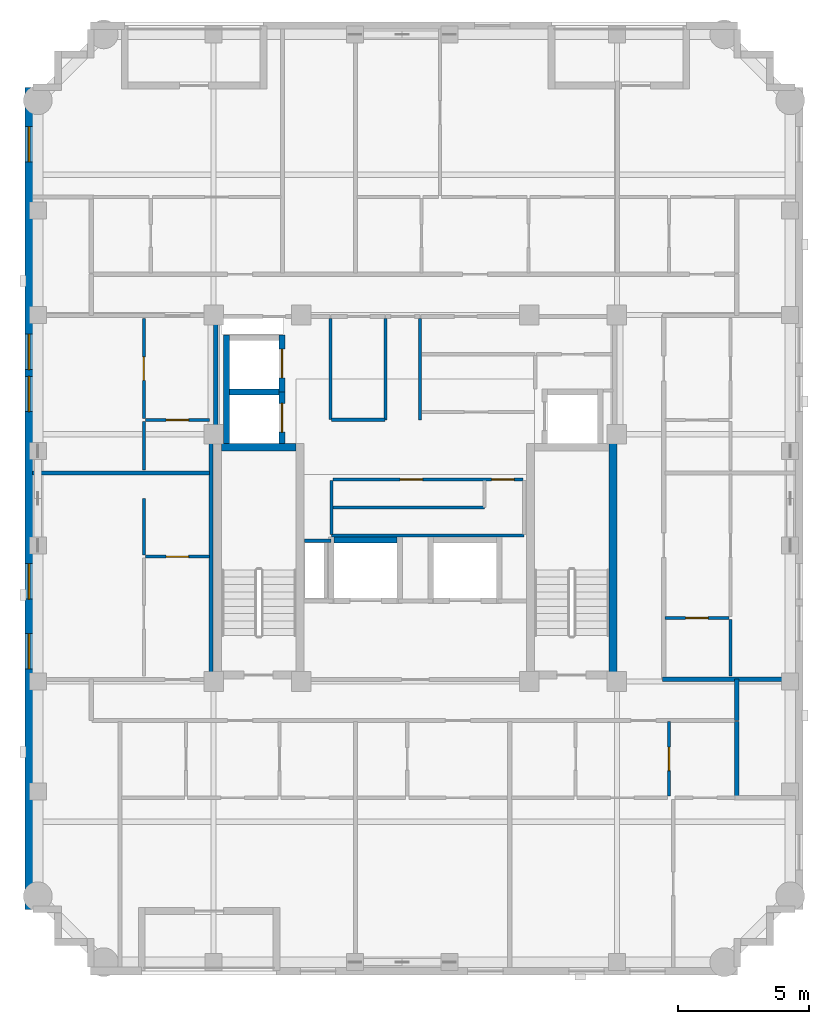
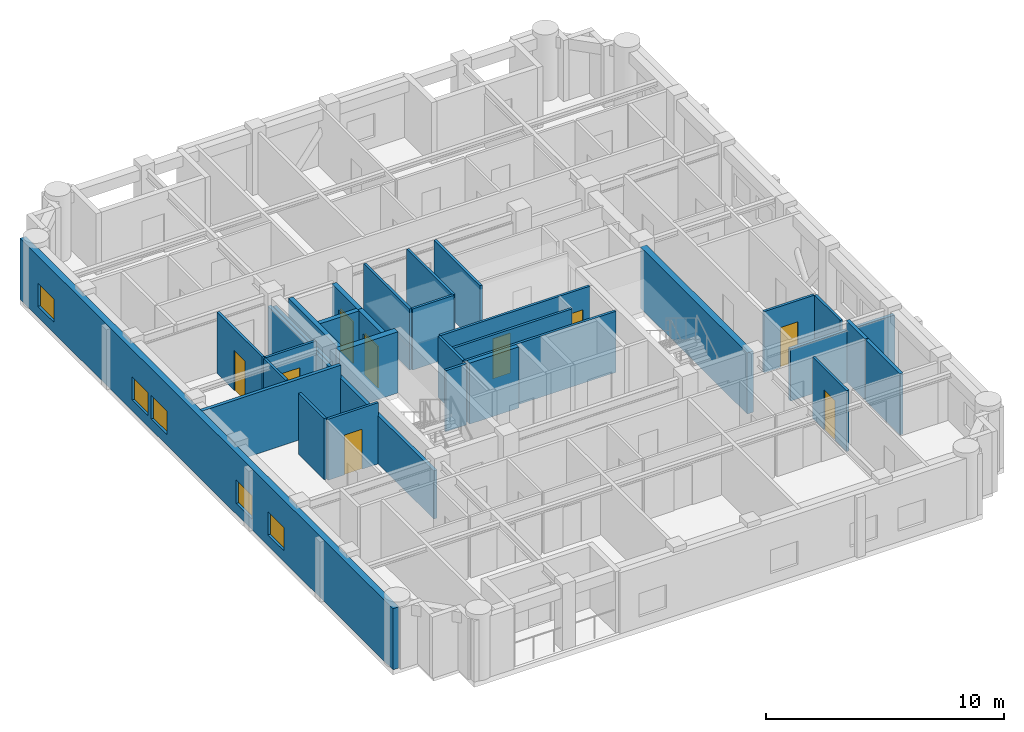
# One storey, part 4 of 10: 31 walls, 9 doors, 5 windows, 14 openings.
"""IFC4 building model written with IfcOpenShell, lengths in metres."""

from ifc_helpers import new_model, si_unit, derived_unit, direction, frame, frame_2d, origin, place, context, subcontext, project, spatial, rectangle, extrude, material, layer, layer_set, type_object, element, fill, save


model = new_model("IFC4")

# Units and contexts
model_context = context("Model", 3, precision=1e-05, world=origin(), true_north=direction((0.0, 1.0)))
body_context = subcontext(model_context, "Body", "Model", "MODEL_VIEW")
ifc_project = project(units=[si_unit("LENGTHUNIT", "METRE"), si_unit("AREAUNIT", "SQUARE_METRE"), si_unit("VOLUMEUNIT", "CUBIC_METRE"), si_unit("PLANEANGLEUNIT", "RADIAN"), si_unit("MASSUNIT", "GRAM", prefix="KILO"), derived_unit("THERMALTRANSMITTANCEUNIT", [(si_unit("MASSUNIT", "GRAM", prefix="KILO"), 1), (si_unit("TIMEUNIT", "SECOND"), -3), (si_unit("THERMODYNAMICTEMPERATUREUNIT", "KELVIN"), -1)])], contexts=[model_context])

# Site, building, storey
site_placement = place(None, origin())
site = spatial("IfcSite", under=ifc_project, at=site_placement, CompositionType="ELEMENT")
building_placement = place(site_placement, origin())
building = spatial("IfcBuilding", under=site, at=building_placement, Name="Korrvale Station Residences", CompositionType="ELEMENT")
storey_placement = place(building_placement, frame((0.0, 0.0, 237.699951171875)))
storey = spatial("IfcBuildingStorey", under=building, at=storey_placement, Name="L69", CompositionType="ELEMENT", Elevation=237.699951171875)

# Walls
ifc_material_1 = material(Name="Concrete C50/60", Category="concrete")
ifc_layer_1 = layer(ifc_material_1, 0.300048828125, Name="Concrete C50/60")
ifc_layer_set_1 = layer_set([ifc_layer_1], Name="Concrete C50/60")
wall_type_1 = type_object("IfcWallType", Name="WAL-CORE-300-C50", PredefinedType="SHEAR", material=ifc_layer_set_1)
wall_1_placement = place(storey_placement, frame((18.10009765625, 23.949951171875, 0.0), z_axis=(0.0, 0.0, 1.0), x_axis=(1.0, 0.0, 0.0)))
element("IfcWall", 1, at=wall_1_placement, inside=storey, type_object=wall_type_1, Name="L69 ST-1 Core Shear Wall North", PredefinedType="SHEAR", context=body_context, shape_type="SweptSolid", body=[
    extrude(rectangle(XDim=2.849853515625, YDim=0.300048828125, at=frame_2d((1.4248046875, 0.0))), origin(), (0.0, 0.0, 1.0), 3.14013671875),
])
wall_2_placement = place(storey_placement, frame((33.050048828125, 15.10009765625, 0.0), z_axis=(0.0, 0.0, 1.0), x_axis=(0.0, 1.0, 0.0)))
element("IfcWall", 2, at=wall_2_placement, inside=storey, type_object=wall_type_1, Name="L69 ST-2 Core Shear Wall East", PredefinedType="SHEAR", context=body_context, shape_type="SweptSolid", body=[
    extrude(rectangle(XDim=9.0, YDim=0.300048828125, at=frame_2d((4.5, 0.0))), origin(), (0.0, 0.0, 1.0), 3.14013671875),
])

# Wall, openings, windows
ifc_material_2 = material(Name="Precast concrete C45/55", Category="concrete")
ifc_layer_2 = layer(ifc_material_2, 0.300048828125, Name="Precast concrete C45/55")
ifc_layer_set_2 = layer_set([ifc_layer_2], Name="Precast concrete C45/55")
wall_type_2 = type_object("IfcWallType", Name="WAL-EXT-PC300", PredefinedType="SOLIDWALL", material=ifc_layer_set_2)
wall_3_placement = place(storey_placement, frame((10.75, 6.300048828125, 0.0), z_axis=(0.0, 0.0, 1.0), x_axis=(0.0, 1.0, 0.0)))
wall_3 = element("IfcWall", 3, at=wall_3_placement, inside=storey, type_object=wall_type_2, Name="L69 West Exterior Precast Wall 1", PredefinedType="SOLIDWALL", context=body_context, shape_type="SweptSolid", body=[
    extrude(rectangle(XDim=31.39990234375, YDim=0.300048828125, at=frame_2d((15.699951171875, 0.0))), origin(), (0.0, 0.0, 1.0), 3.14013671875),
])
opening_1_placement = place(wall_3_placement, frame((28.5458984375, 0.0, 0.550048828125)))
opening_1 = element("IfcOpeningElement", 4, at=opening_1_placement, cuts=wall_3, Name="Opening W-10", PredefinedType="OPENING", context=body_context, shape_type="SweptSolid", body=[
    extrude(rectangle(XDim=1.35009765625, YDim=1.199951171875, at=frame_2d((0.675048828125, 0.60009765625))), frame((0.0, 0.16015625, 0.0), z_axis=(0.0, -1.0, 0.0), x_axis=(1.0, 0.0, 0.0)), (0.0, 0.0, 1.0), 0.320068359375),
])
opening_2_placement = place(wall_3_placement, frame((11.85009765625, 0.0, 0.550048828125)))
opening_2 = element("IfcOpeningElement", 5, at=opening_2_placement, cuts=wall_3, Name="Opening W-10", PredefinedType="OPENING", context=body_context, shape_type="SweptSolid", body=[
    extrude(rectangle(XDim=1.35009765625, YDim=1.199951171875, at=frame_2d((0.675048828125, 0.60009765625))), frame((0.0, 0.16015625, 0.0), z_axis=(0.0, -1.0, 0.0), x_axis=(1.0, 0.0, 0.0)), (0.0, 0.0, 1.0), 0.320068359375),
])
opening_3_placement = place(wall_3_placement, frame((9.18505859375, 0.0, 0.550048828125)))
opening_3 = element("IfcOpeningElement", 6, at=opening_3_placement, cuts=wall_3, Name="Opening W-10", PredefinedType="OPENING", context=body_context, shape_type="SweptSolid", body=[
    extrude(rectangle(XDim=1.35009765625, YDim=1.199951171875, at=frame_2d((0.675048828125, 0.60009765625))), frame((0.0, 0.16015625, 0.0), z_axis=(0.0, -1.0, 0.0), x_axis=(1.0, 0.0, 0.0)), (0.0, 0.0, 1.0), 0.320068359375),
])
opening_4_placement = place(wall_3_placement, frame((19.006103515625, 0.0, 0.550048828125)))
opening_4 = element("IfcOpeningElement", 7, at=opening_4_placement, cuts=wall_3, Name="Opening W-10", PredefinedType="OPENING", context=body_context, shape_type="SweptSolid", body=[
    extrude(rectangle(XDim=1.35009765625, YDim=1.199951171875, at=frame_2d((0.675048828125, 0.60009765625))), frame((0.0, 0.16015625, 0.0), z_axis=(0.0, -1.0, 0.0), x_axis=(1.0, 0.0, 0.0)), (0.0, 0.0, 1.0), 0.320068359375),
])
opening_5_placement = place(wall_3_placement, frame((20.615966796875, 0.0, 0.550048828125)))
opening_5 = element("IfcOpeningElement", 8, at=opening_5_placement, cuts=wall_3, Name="Opening W-10", PredefinedType="OPENING", context=body_context, shape_type="SweptSolid", body=[
    extrude(rectangle(XDim=1.35009765625, YDim=1.199951171875, at=frame_2d((0.675048828125, 0.60009765625))), frame((0.0, 0.16015625, 0.0), z_axis=(0.0, -1.0, 0.0), x_axis=(1.0, 0.0, 0.0)), (0.0, 0.0, 1.0), 0.320068359375),
])
ifc_material_3 = material(Name="Thermally broken aluminium frame with triple low-e glazing", Category="aluminium")
window_type = type_object("IfcWindowType", Name="WIN-W10", PartitioningType="SINGLE_PANEL", PredefinedType="WINDOW", material=ifc_material_3)
window_1_placement = place(opening_1_placement, origin())
window_1 = element("IfcWindow", 9, at=window_1_placement, inside=storey, type_object=window_type, Name="L69 Punched Window 06", OverallHeight=1.199951171875, OverallWidth=1.35009765625, PartitioningType="SINGLE_PANEL", PredefinedType="WINDOW", context=body_context, shape_type="SweptSolid", body=[
    extrude(rectangle(XDim=1.35009765625, YDim=1.199951171875, at=frame_2d((0.675048828125, 0.60009765625))), frame((0.0, 0.030029296875, 0.0), z_axis=(0.0, -1.0, 0.0), x_axis=(1.0, 0.0, 0.0)), (0.0, 0.0, 1.0), 0.06005859375),
])
fill(opening_1, window_1)
window_2_placement = place(opening_2_placement, origin())
window_2 = element("IfcWindow", 10, at=window_2_placement, inside=storey, type_object=window_type, Name="L69 Punched Window 09", OverallHeight=1.199951171875, OverallWidth=1.35009765625, PartitioningType="SINGLE_PANEL", PredefinedType="WINDOW", context=body_context, shape_type="SweptSolid", body=[
    extrude(rectangle(XDim=1.35009765625, YDim=1.199951171875, at=frame_2d((0.675048828125, 0.60009765625))), frame((0.0, 0.030029296875, 0.0), z_axis=(0.0, -1.0, 0.0), x_axis=(1.0, 0.0, 0.0)), (0.0, 0.0, 1.0), 0.06005859375),
])
fill(opening_2, window_2)
window_3_placement = place(opening_3_placement, origin())
window_3 = element("IfcWindow", 11, at=window_3_placement, inside=storey, type_object=window_type, Name="L69 Punched Window 10", OverallHeight=1.199951171875, OverallWidth=1.35009765625, PartitioningType="SINGLE_PANEL", PredefinedType="WINDOW", context=body_context, shape_type="SweptSolid", body=[
    extrude(rectangle(XDim=1.35009765625, YDim=1.199951171875, at=frame_2d((0.675048828125, 0.60009765625))), frame((0.0, 0.030029296875, 0.0), z_axis=(0.0, -1.0, 0.0), x_axis=(1.0, 0.0, 0.0)), (0.0, 0.0, 1.0), 0.06005859375),
])
fill(opening_3, window_3)
window_4_placement = place(opening_4_placement, origin())
window_4 = element("IfcWindow", 12, at=window_4_placement, inside=storey, type_object=window_type, Name="L69 Punched Window 11", OverallHeight=1.199951171875, OverallWidth=1.35009765625, PartitioningType="SINGLE_PANEL", PredefinedType="WINDOW", context=body_context, shape_type="SweptSolid", body=[
    extrude(rectangle(XDim=1.35009765625, YDim=1.199951171875, at=frame_2d((0.675048828125, 0.60009765625))), frame((0.0, 0.030029296875, 0.0), z_axis=(0.0, -1.0, 0.0), x_axis=(1.0, 0.0, 0.0)), (0.0, 0.0, 1.0), 0.06005859375),
])
fill(opening_4, window_4)
window_5_placement = place(opening_5_placement, origin())
window_5 = element("IfcWindow", 13, at=window_5_placement, inside=storey, type_object=window_type, Name="L69 Punched Window 12", OverallHeight=1.199951171875, OverallWidth=1.35009765625, PartitioningType="SINGLE_PANEL", PredefinedType="WINDOW", context=body_context, shape_type="SweptSolid", body=[
    extrude(rectangle(XDim=1.35009765625, YDim=1.199951171875, at=frame_2d((0.675048828125, 0.60009765625))), frame((0.0, 0.030029296875, 0.0), z_axis=(0.0, -1.0, 0.0), x_axis=(1.0, 0.0, 0.0)), (0.0, 0.0, 1.0), 0.06005859375),
])
fill(opening_5, window_5)

# Walls
ifc_material_4 = material(Name="Acoustic steel-stud gypsum board partition", Category="steel")
ifc_layer_3 = layer(ifc_material_4, 0.1201171875, Name="Acoustic steel-stud gypsum board partition")
ifc_layer_set_3 = layer_set([ifc_layer_3], Name="Acoustic steel-stud gypsum board partition")
wall_type_3 = type_object("IfcWallType", Name="WAL-PART-125", PredefinedType="PARTITIONING", material=ifc_layer_set_3)
wall_4_placement = place(storey_placement, frame((22.280029296875, 20.3798828125, 0.0), z_axis=(0.0, 0.0, 1.0), x_axis=(-1.0, 0.0, 0.0)))
element("IfcWall", 14, at=wall_4_placement, inside=storey, type_object=wall_type_3, Name="L69 Core Partition CW-RSWT-N", PredefinedType="PARTITIONING", context=body_context, shape_type="SweptSolid", body=[
    extrude(rectangle(XDim=1.02001953125, YDim=0.1201171875, at=frame_2d((0.510009765625, 0.0))), origin(), (0.0, 0.0, 1.0), 3.14013671875),
])
for number, where, z_axis, x_axis, name in (
    (15, (24.360107421875, 25.0, 0.0), (0.0, 0.0, 1.0), (0.0, 1.0, 0.0), "L69 Core Partition CW-PSG-W"),
    (16, (25.679931640625, 25.0, 0.0), (0.0, 0.0, 1.0), (0.0, 1.0, 0.0), "L69 Core Partition CW-PSG-E"),
):
    element("IfcWall", number, at=place(storey_placement, frame(where, z_axis=z_axis, x_axis=x_axis)), inside=storey, type_object=wall_type_3, Name=name, PredefinedType="PARTITIONING", context=body_context, shape_type="SweptSolid", body=[
        extrude(rectangle(XDim=3.8701171875, YDim=0.1201171875, at=frame_2d((1.93505859375, 0.0))), origin(), (0.0, 0.0, 1.0), 3.14013671875),
    ])
wall_5_placement = place(storey_placement, frame((22.260009765625, 25.0, 0.0), z_axis=(0.0, 0.0, 1.0), x_axis=(0.0, 1.0, 0.0)))
element("IfcWall", 17, at=wall_5_placement, inside=storey, type_object=wall_type_3, Name="L69 Core Partition CW-FPLW-W", PredefinedType="PARTITIONING", context=body_context, shape_type="SweptSolid", body=[
    extrude(rectangle(XDim=3.860107421875, YDim=0.1201171875, at=frame_2d((1.93017578125, 0.0))), origin(), (0.0, 0.0, 1.0), 3.14013671875),
])
wall_6_placement = place(storey_placement, frame((22.300048828125, 25.0, 0.0), z_axis=(0.0, 0.0, 1.0), x_axis=(1.0, 0.0, 0.0)))
element("IfcWall", 18, at=wall_6_placement, inside=storey, type_object=wall_type_3, Name="L69 Core Partition CW-FPLW-S", PredefinedType="PARTITIONING", context=body_context, shape_type="SweptSolid", body=[
    extrude(rectangle(XDim=2.0400390625, YDim=0.1201171875, at=frame_2d((1.02001953125, 0.0))), origin(), (0.0, 0.0, 1.0), 3.14013671875),
])
wall_7_placement = place(storey_placement, frame((22.300048828125, 20.580078125, 0.0), z_axis=(0.0, 0.0, 1.0), x_axis=(1.0, 0.0, 0.0)))
element("IfcWall", 19, at=wall_7_placement, inside=storey, type_object=wall_type_3, Name="L69 Core Partition CW-FPM-S", PredefinedType="PARTITIONING", context=body_context, shape_type="SweptSolid", body=[
    extrude(rectangle(XDim=7.349853515625, YDim=0.1201171875, at=frame_2d((3.6748046875, 0.0))), origin(), (0.0, 0.0, 1.0), 3.14013671875),
])
wall_8_placement = place(storey_placement, frame((22.300048828125, 20.6201171875, 0.0), z_axis=(0.0, 0.0, 1.0), x_axis=(0.0, 1.0, 0.0)))
element("IfcWall", 20, at=wall_8_placement, inside=storey, type_object=wall_type_3, Name="L69 Core Partition CW-FPM-W", PredefinedType="PARTITIONING", context=body_context, shape_type="SweptSolid", body=[
    extrude(rectangle(XDim=2.059814453125, YDim=0.1201171875, at=frame_2d((1.02978515625, 0.0))), origin(), (0.0, 0.0, 1.0), 3.14013671875),
])
wall_9_placement = place(storey_placement, frame((22.35009765625, 21.64990234375, 0.0), z_axis=(0.0, 0.0, 1.0), x_axis=(1.0, 0.0, 0.0)))
element("IfcWall", 21, at=wall_9_placement, inside=storey, type_object=wall_type_3, Name="L69 Core Partition CW-FPM-H1", PredefinedType="PARTITIONING", context=body_context, shape_type="SweptSolid", body=[
    extrude(rectangle(XDim=5.789794921875, YDim=0.1201171875, at=frame_2d((2.89501953125, 0.0))), origin(), (0.0, 0.0, 1.0), 3.14013671875),
])

# Wall, openings, doors
wall_10_placement = place(storey_placement, frame((22.35009765625, 22.719970703125, 0.0), z_axis=(0.0, 0.0, 1.0), x_axis=(1.0, 0.0, 0.0)))
wall_10 = element("IfcWall", 22, at=wall_10_placement, inside=storey, type_object=wall_type_3, Name="L69 Core Partition CW-FPM-N", PredefinedType="PARTITIONING", context=body_context, shape_type="SweptSolid", body=[
    extrude(rectangle(XDim=7.27001953125, YDim=0.1201171875, at=frame_2d((3.635009765625, 0.0))), origin(), (0.0, 0.0, 1.0), 3.14013671875),
])
opening_6_placement = place(wall_10_placement, frame((2.570068359375, 0.0, 0.0)))
opening_6 = element("IfcOpeningElement", 23, at=opening_6_placement, cuts=wall_10, Name="Opening DB-860", PredefinedType="OPENING", context=body_context, shape_type="SweptSolid", body=[
    extrude(rectangle(XDim=0.860107421875, YDim=2.050048828125, at=frame_2d((0.43017578125, 1.02490234375))), frame((0.0, 0.070068359375, 0.0), z_axis=(0.0, -1.0, 0.0), x_axis=(1.0, 0.0, 0.0)), (0.0, 0.0, 1.0), 0.14013671875),
])
opening_7_placement = place(wall_10_placement, frame((6.06005859375, 0.0, 0.0)))
opening_7 = element("IfcOpeningElement", 24, at=opening_7_placement, cuts=wall_10, Name="Opening DB-860", PredefinedType="OPENING", context=body_context, shape_type="SweptSolid", body=[
    extrude(rectangle(XDim=0.860107421875, YDim=2.050048828125, at=frame_2d((0.43017578125, 1.02490234375))), frame((0.0, 0.070068359375, 0.0), z_axis=(0.0, -1.0, 0.0), x_axis=(1.0, 0.0, 0.0)), (0.0, 0.0, 1.0), 0.14013671875),
])
ifc_material_5 = material(Name="Moisture-resistant solid-core bathroom door", Category="timber")
door_type_1 = type_object("IfcDoorType", Name="DR-BATH-860", OperationType="NOTDEFINED", PredefinedType="DOOR", material=ifc_material_5)
door_1_placement = place(opening_6_placement, origin())
door_1 = element("IfcDoor", 25, at=door_1_placement, inside=storey, type_object=door_type_1, Name="L69 Sky Pantry Door", OperationType="SINGLE_SWING_LEFT", OverallHeight=2.050048828125, OverallWidth=0.860107421875, PredefinedType="DOOR", context=body_context, shape_type="SweptSolid", body=[
    extrude(rectangle(XDim=0.860107421875, YDim=2.050048828125, at=frame_2d((0.43017578125, 1.02490234375))), frame((0.0, 0.02490234375, 0.0), z_axis=(0.0, -1.0, 0.0), x_axis=(1.0, 0.0, 0.0)), (0.0, 0.0, 1.0), 0.050048828125),
])
fill(opening_6, door_1)
door_2_placement = place(opening_7_placement, origin())
door_2 = element("IfcDoor", 26, at=door_2_placement, inside=storey, type_object=door_type_1, Name="L69 Tableware Store Door", OperationType="SINGLE_SWING_RIGHT", OverallHeight=2.050048828125, OverallWidth=0.860107421875, PredefinedType="DOOR", context=body_context, shape_type="SweptSolid", body=[
    extrude(rectangle(XDim=0.860107421875, YDim=2.050048828125, at=frame_2d((0.43017578125, 1.02490234375))), frame((0.0, 0.02490234375, 0.0), z_axis=(0.0, -1.0, 0.0), x_axis=(1.0, 0.0, 0.0)), (0.0, 0.0, 1.0), 0.050048828125),
])
fill(opening_7, door_2)

# Wall, opening, door
wall_11_placement = place(storey_placement, frame((35.195068359375, 10.6201171875, 0.0), z_axis=(0.0, 0.0, 1.0), x_axis=(0.0, 1.0, 0.0)))
wall_11 = element("IfcWall", 27, at=wall_11_placement, inside=storey, type_object=wall_type_3, Name="L69 Suite Partition U03-V12", PredefinedType="PARTITIONING", context=body_context, shape_type="SweptSolid", body=[
    extrude(rectangle(XDim=2.849853515625, YDim=0.1201171875, at=frame_2d((1.4248046875, 0.0))), origin(), (0.0, 0.0, 1.0), 3.14013671875),
])
opening_8_placement = place(wall_11_placement, frame((0.97509765625, 0.0, 0.0)))
opening_8 = element("IfcOpeningElement", 28, at=opening_8_placement, cuts=wall_11, Name="Opening DI-900", PredefinedType="OPENING", context=body_context, shape_type="SweptSolid", body=[
    extrude(rectangle(XDim=0.89990234375, YDim=2.050048828125, at=frame_2d((0.449951171875, 1.02490234375))), frame((0.0, 0.070068359375, 0.0), z_axis=(0.0, -1.0, 0.0), x_axis=(1.0, 0.0, 0.0)), (0.0, 0.0, 1.0), 0.14013671875),
])
ifc_material_6 = material(Name="Painted solid-core timber interior room door", Category="wood")
door_type_2 = type_object("IfcDoorType", Name="DR-INT-900", OperationType="NOTDEFINED", PredefinedType="DOOR", material=ifc_material_6)
door_3_placement = place(opening_8_placement, origin())
door_3 = element("IfcDoor", 29, at=door_3_placement, inside=storey, type_object=door_type_2, Name="L69 Apartment 1BR L69-U03 Kitchen Door", OperationType="SINGLE_SWING_RIGHT", OverallHeight=2.050048828125, OverallWidth=0.89990234375, PredefinedType="DOOR", context=body_context, shape_type="SweptSolid", body=[
    extrude(rectangle(XDim=0.89990234375, YDim=2.050048828125, at=frame_2d((0.449951171875, 1.02490234375))), frame((0.0, 0.02490234375, 0.0), z_axis=(0.0, -1.0, 0.0), x_axis=(1.0, 0.0, 0.0)), (0.0, 0.0, 1.0), 0.050048828125),
])
fill(opening_8, door_3)

wall_12_placement = place(storey_placement, frame((15.18994140625, 19.77001953125, 0.0), z_axis=(0.0, 0.0, 1.0), x_axis=(1.0, 0.0, 0.0)))
wall_12 = element("IfcWall", 30, at=wall_12_placement, inside=storey, type_object=wall_type_3, Name="L69 Suite Partition U07-H01", PredefinedType="PARTITIONING", context=body_context, shape_type="SweptSolid", body=[
    extrude(rectangle(XDim=2.449951171875, YDim=0.1201171875, at=frame_2d((1.22509765625, 0.0))), origin(), (0.0, 0.0, 1.0), 3.14013671875),
])
opening_9_placement = place(wall_12_placement, frame((0.794921875, 0.0, 0.0)))
opening_9 = element("IfcOpeningElement", 31, at=opening_9_placement, cuts=wall_12, Name="Opening DB-860", PredefinedType="OPENING", context=body_context, shape_type="SweptSolid", body=[
    extrude(rectangle(XDim=0.860107421875, YDim=2.050048828125, at=frame_2d((0.43017578125, 1.02490234375))), frame((0.0, 0.070068359375, 0.0), z_axis=(0.0, -1.0, 0.0), x_axis=(1.0, 0.0, 0.0)), (0.0, 0.0, 1.0), 0.14013671875),
])
door_4_placement = place(opening_9_placement, origin())
door_4 = element("IfcDoor", 32, at=door_4_placement, inside=storey, type_object=door_type_1, Name="L69 Apartment 1BR L69-U07 Bathroom Door", OperationType="SINGLE_SWING_RIGHT", OverallHeight=2.050048828125, OverallWidth=0.860107421875, PredefinedType="DOOR", context=body_context, shape_type="SweptSolid", body=[
    extrude(rectangle(XDim=0.860107421875, YDim=2.050048828125, at=frame_2d((0.43017578125, 1.02490234375))), frame((0.0, 0.02490234375, 0.0), z_axis=(0.0, -1.0, 0.0), x_axis=(1.0, 0.0, 0.0)), (0.0, 0.0, 1.0), 0.050048828125),
])
fill(opening_9, door_4)

# Wall
wall_13_placement = place(storey_placement, frame((15.1298828125, 19.830078125, 0.0), z_axis=(0.0, 0.0, 1.0), x_axis=(0.0, 1.0, 0.0)))
element("IfcWall", 33, at=wall_13_placement, inside=storey, type_object=wall_type_3, Name="L69 Suite Partition U07-V02", PredefinedType="PARTITIONING", context=body_context, shape_type="SweptSolid", body=[
    extrude(rectangle(XDim=2.158935546875, YDim=0.1201171875, at=frame_2d((1.07958984375, 0.0))), origin(), (0.0, 0.0, 1.0), 3.14013671875),
])

# Wall, opening, door
wall_14_placement = place(storey_placement, frame((15.18994140625, 24.991943359375, 0.0), z_axis=(0.0, 0.0, 1.0), x_axis=(1.0, 0.0, 0.0)))
wall_14 = element("IfcWall", 34, at=wall_14_placement, inside=storey, type_object=wall_type_3, Name="L69 Suite Partition U08-H01", PredefinedType="PARTITIONING", context=body_context, shape_type="SweptSolid", body=[
    extrude(rectangle(XDim=2.449951171875, YDim=0.1201171875, at=frame_2d((1.22509765625, 0.0))), origin(), (0.0, 0.0, 1.0), 3.14013671875),
])
opening_10_placement = place(wall_14_placement, frame((0.794921875, 0.0, 0.0)))
opening_10 = element("IfcOpeningElement", 35, at=opening_10_placement, cuts=wall_14, Name="Opening DB-860", PredefinedType="OPENING", context=body_context, shape_type="SweptSolid", body=[
    extrude(rectangle(XDim=0.860107421875, YDim=2.050048828125, at=frame_2d((0.43017578125, 1.02490234375))), frame((0.0, 0.070068359375, 0.0), z_axis=(0.0, -1.0, 0.0), x_axis=(1.0, 0.0, 0.0)), (0.0, 0.0, 1.0), 0.14013671875),
])
door_5_placement = place(opening_10_placement, origin())
door_5 = element("IfcDoor", 36, at=door_5_placement, inside=storey, type_object=door_type_1, Name="L69 Apartment 1BR L69-U08 Bathroom Door", OperationType="SINGLE_SWING_LEFT", OverallHeight=2.050048828125, OverallWidth=0.860107421875, PredefinedType="DOOR", context=body_context, shape_type="SweptSolid", body=[
    extrude(rectangle(XDim=0.860107421875, YDim=2.050048828125, at=frame_2d((0.43017578125, 1.02490234375))), frame((0.0, 0.02490234375, 0.0), z_axis=(0.0, -1.0, 0.0), x_axis=(1.0, 0.0, 0.0)), (0.0, 0.0, 1.0), 0.050048828125),
])
fill(opening_10, door_5)

# Wall
wall_15_placement = place(storey_placement, frame((15.1298828125, 23.08203125, 0.0), z_axis=(0.0, 0.0, 1.0), x_axis=(0.0, 1.0, 0.0)))
element("IfcWall", 37, at=wall_15_placement, inside=storey, type_object=wall_type_3, Name="L69 Suite Partition U08-V02", PredefinedType="PARTITIONING", context=body_context, shape_type="SweptSolid", body=[
    extrude(rectangle(XDim=1.849853515625, YDim=0.1201171875, at=frame_2d((0.9248046875, 0.0))), origin(), (0.0, 0.0, 1.0), 3.14013671875),
])

# Wall, opening, door
wall_16_placement = place(storey_placement, frame((15.1298828125, 25.052001953125, 0.0), z_axis=(0.0, 0.0, 1.0), x_axis=(0.0, 1.0, 0.0)))
wall_16 = element("IfcWall", 38, at=wall_16_placement, inside=storey, type_object=wall_type_3, Name="L69 Suite Partition U08-V12", PredefinedType="PARTITIONING", context=body_context, shape_type="SweptSolid", body=[
    extrude(rectangle(XDim=3.80810546875, YDim=0.1201171875, at=frame_2d((1.904052734375, 0.0))), origin(), (0.0, 0.0, 1.0), 3.14013671875),
])
opening_11_placement = place(wall_16_placement, frame((1.4541015625, 0.0, 0.0)))
opening_11 = element("IfcOpeningElement", 39, at=opening_11_placement, cuts=wall_16, Name="Opening DI-900", PredefinedType="OPENING", context=body_context, shape_type="SweptSolid", body=[
    extrude(rectangle(XDim=0.89990234375, YDim=2.050048828125, at=frame_2d((0.449951171875, 1.02490234375))), frame((0.0, 0.070068359375, 0.0), z_axis=(0.0, -1.0, 0.0), x_axis=(1.0, 0.0, 0.0)), (0.0, 0.0, 1.0), 0.14013671875),
])
door_6_placement = place(opening_11_placement, origin())
door_6 = element("IfcDoor", 40, at=door_6_placement, inside=storey, type_object=door_type_2, Name="L69 Apartment 1BR L69-U08 Kitchen Door", OperationType="SINGLE_SWING_RIGHT", OverallHeight=2.050048828125, OverallWidth=0.89990234375, PredefinedType="DOOR", context=body_context, shape_type="SweptSolid", body=[
    extrude(rectangle(XDim=0.89990234375, YDim=2.050048828125, at=frame_2d((0.449951171875, 1.02490234375))), frame((0.0, 0.02490234375, 0.0), z_axis=(0.0, -1.0, 0.0), x_axis=(1.0, 0.0, 0.0)), (0.0, 0.0, 1.0), 0.050048828125),
])
fill(opening_11, door_6)

wall_17_placement = place(storey_placement, frame((35.030029296875, 17.428955078125, 0.0), z_axis=(0.0, 0.0, 1.0), x_axis=(1.0, 0.0, 0.0)))
wall_17 = element("IfcWall", 41, at=wall_17_placement, inside=storey, type_object=wall_type_3, Name="L69 Suite Partition U09-H01", PredefinedType="PARTITIONING", context=body_context, shape_type="SweptSolid", body=[
    extrude(rectangle(XDim=2.449951171875, YDim=0.1201171875, at=frame_2d((1.22509765625, 0.0))), origin(), (0.0, 0.0, 1.0), 3.14013671875),
])
opening_12_placement = place(wall_17_placement, frame((0.794921875, 0.0, 0.0)))
opening_12 = element("IfcOpeningElement", 42, at=opening_12_placement, cuts=wall_17, Name="Opening DB-860", PredefinedType="OPENING", context=body_context, shape_type="SweptSolid", body=[
    extrude(rectangle(XDim=0.860107421875, YDim=2.050048828125, at=frame_2d((0.43017578125, 1.02490234375))), frame((0.0, 0.070068359375, 0.0), z_axis=(0.0, -1.0, 0.0), x_axis=(1.0, 0.0, 0.0)), (0.0, 0.0, 1.0), 0.14013671875),
])
door_7_placement = place(opening_12_placement, origin())
door_7 = element("IfcDoor", 43, at=door_7_placement, inside=storey, type_object=door_type_1, Name="L69 Apartment 1BR L69-U09 Bathroom Door", OperationType="SINGLE_SWING_LEFT", OverallHeight=2.050048828125, OverallWidth=0.860107421875, PredefinedType="DOOR", context=body_context, shape_type="SweptSolid", body=[
    extrude(rectangle(XDim=0.860107421875, YDim=2.050048828125, at=frame_2d((0.43017578125, 1.02490234375))), frame((0.0, 0.02490234375, 0.0), z_axis=(0.0, -1.0, 0.0), x_axis=(1.0, 0.0, 0.0)), (0.0, 0.0, 1.0), 0.050048828125),
])
fill(opening_12, door_7)

# Walls
wall_18_placement = place(storey_placement, frame((37.5400390625, 15.2099609375, 0.0), z_axis=(0.0, 0.0, 1.0), x_axis=(0.0, 1.0, 0.0)))
element("IfcWall", 44, at=wall_18_placement, inside=storey, type_object=wall_type_3, Name="L69 Suite Partition U09-V02", PredefinedType="PARTITIONING", context=body_context, shape_type="SweptSolid", body=[
    extrude(rectangle(XDim=2.158935546875, YDim=0.1201171875, at=frame_2d((1.07958984375, 0.0))), origin(), (0.0, 0.0, 1.0), 3.14013671875),
])
ifc_material_7 = material(Name="Fire-rated twin-stud gypsum and mineral wool shaftwall assembly", Category="gypsum")
ifc_layer_4 = layer(ifc_material_7, 0.159912109375, Name="Fire-rated twin-stud gypsum and mineral wool shaftwall assembly")
ifc_layer_set_4 = layer_set([ifc_layer_4], Name="Fire-rated twin-stud gypsum and mineral wool shaftwall assembly")
wall_type_4 = type_object("IfcWallType", Name="WAL-PART-200", PredefinedType="PARTITIONING", material=ifc_layer_set_4)
wall_19_placement = place(storey_placement, frame((17.8798828125, 24.1201171875, 0.0), z_axis=(0.0, 0.0, 1.0), x_axis=(0.0, 1.0, 0.0)))
element("IfcWall", 45, at=wall_19_placement, inside=storey, type_object=wall_type_4, Name="L69 Core Partition CW-W-N", PredefinedType="PARTITIONING", context=body_context, shape_type="SweptSolid", body=[
    extrude(rectangle(XDim=4.759765625, YDim=0.159912109375, at=frame_2d((2.3798828125, 0.0))), origin(), (0.0, 0.0, 1.0), 2.47509765625),
])
wall_20_placement = place(storey_placement, frame((37.780029296875, 13.510009765625, 0.0), z_axis=(0.0, 0.0, 1.0), x_axis=(0.0, 1.0, 0.0)))
element("IfcWall", 46, at=wall_20_placement, inside=storey, type_object=wall_type_4, Name="L69 Corridor South East Cap", PredefinedType="PARTITIONING", context=body_context, shape_type="SweptSolid", body=[
    extrude(rectangle(XDim=1.580078125, YDim=0.159912109375, at=frame_2d((0.7900390625, 0.0))), origin(), (0.0, 0.0, 1.0), 3.14013671875),
])
wall_21_placement = place(storey_placement, frame((34.949951171875, 15.090087890625, 0.0), z_axis=(0.0, 0.0, 1.0), x_axis=(1.0, 0.0, 0.0)))
element("IfcWall", 47, at=wall_21_placement, inside=storey, type_object=wall_type_4, Name="L69 East Wing South Corridor Wall", PredefinedType="PARTITIONING", context=body_context, shape_type="SweptSolid", body=[
    extrude(rectangle(XDim=5.070068359375, YDim=0.159912109375, at=frame_2d((2.53515625, 0.0))), origin(), (0.0, 0.0, 1.0), 2.66796875),
])
wall_22_placement = place(storey_placement, frame((37.780029296875, 10.56005859375, 0.0), z_axis=(0.0, 0.0, 1.0), x_axis=(0.0, 1.0, 0.0)))
element("IfcWall", 48, at=wall_22_placement, inside=storey, type_object=wall_type_4, Name="L69 Corner Step Cheek U03-R", PredefinedType="PARTITIONING", context=body_context, shape_type="SweptSolid", body=[
    extrude(rectangle(XDim=2.909912109375, YDim=0.159912109375, at=frame_2d((1.455078125, 0.0))), origin(), (0.0, 0.0, 1.0), 3.14013671875),
])
wall_23_placement = place(storey_placement, frame((10.8798828125, 22.9619140625, 0.0), z_axis=(0.0, 0.0, 1.0), x_axis=(1.0, 0.0, 0.0)))
element("IfcWall", 49, at=wall_23_placement, inside=storey, type_object=wall_type_4, Name="L69 Demising Wall U07-N", PredefinedType="PARTITIONING", context=body_context, shape_type="SweptSolid", body=[
    extrude(rectangle(XDim=6.760009765625, YDim=0.159912109375, at=frame_2d((3.3798828125, 0.0))), origin(), (0.0, 0.0, 1.0), 3.14013671875),
])
wall_24_placement = place(storey_placement, frame((17.699951171875, 15.02001953125, 0.0), z_axis=(0.0, 0.0, 1.0), x_axis=(0.0, 1.0, 0.0)))
element("IfcWall", 50, at=wall_24_placement, inside=storey, type_object=wall_type_4, Name="L69 Rated Corridor Wall W", PredefinedType="PARTITIONING", context=body_context, shape_type="SweptSolid", body=[
    extrude(rectangle(XDim=13.97998046875, YDim=0.159912109375, at=frame_2d((6.989990234375, 0.0))), origin(), (0.0, 0.0, 1.0), 2.47509765625),
])
ifc_layer_5 = layer(ifc_material_1, 0.219970703125, Name="Concrete C50/60")
ifc_layer_set_5 = layer_set([ifc_layer_5], Name="Concrete C50/60")
wall_type_5 = type_object("IfcWallType", Name="WAL-SHAFT-220-C50", PredefinedType="SHEAR", material=ifc_layer_set_5)
wall_25_placement = place(storey_placement, frame((18.2900390625, 24.10009765625, 0.0), z_axis=(0.0, 0.0, 1.0), x_axis=(0.0, 1.0, 0.0)))
element("IfcWall", 51, at=wall_25_placement, inside=storey, type_object=wall_type_5, Name="L69 Elevator PH-1 Hoistway Wall West", PredefinedType="SHEAR", context=body_context, shape_type="SweptSolid", body=[
    extrude(rectangle(XDim=4.139892578125, YDim=0.219970703125, at=frame_2d((2.06982421875, 0.0))), origin(), (0.0, 0.0, 1.0), 3.14013671875),
])

# Wall, opening, door
wall_26_placement = place(storey_placement, frame((20.409912109375, 24.10009765625, 0.0), z_axis=(0.0, 0.0, 1.0), x_axis=(0.0, 1.0, 0.0)))
wall_26 = element("IfcWall", 52, at=wall_26_placement, inside=storey, type_object=wall_type_5, Name="L69 Elevator PH-1 Hoistway Wall East", PredefinedType="SHEAR", context=body_context, shape_type="SweptSolid", body=[
    extrude(rectangle(XDim=1.9599609375, YDim=0.219970703125, at=frame_2d((0.97998046875, 0.0))), origin(), (0.0, 0.0, 1.0), 3.14013671875),
])
opening_13_placement = place(wall_26_placement, frame((0.429931640625, 0.0, 0.0)))
opening_13 = element("IfcOpeningElement", 53, at=opening_13_placement, cuts=wall_26, Name="Opening LD-1100", PredefinedType="OPENING", context=body_context, shape_type="SweptSolid", body=[
    extrude(rectangle(XDim=1.10009765625, YDim=2.14990234375, at=frame_2d((0.550048828125, 1.074951171875))), frame((0.0, 0.1201171875, 0.0), z_axis=(0.0, -1.0, 0.0), x_axis=(1.0, 0.0, 0.0)), (0.0, 0.0, 1.0), 0.239990234375),
])
ifc_material_8 = material(Name="Brushed stainless-steel elevator landing sliding door", Category="steel")
door_type_3 = type_object("IfcDoorType", Name="DR-LIFT-1100", OperationType="SLIDING_TO_LEFT", PredefinedType="DOOR", material=ifc_material_8)
door_8_placement = place(opening_13_placement, origin())
door_8 = element("IfcDoor", 54, at=door_8_placement, inside=storey, type_object=door_type_3, Name="L69 Elevator PH-1 Sliding Landing Door", OperationType="SLIDING_TO_LEFT", OverallHeight=2.14990234375, OverallWidth=1.10009765625, PredefinedType="DOOR", context=body_context, shape_type="SweptSolid", body=[
    extrude(rectangle(XDim=1.10009765625, YDim=2.14990234375, at=frame_2d((0.550048828125, 1.074951171875))), frame((0.0, 0.02490234375, 0.0), z_axis=(0.0, -1.0, 0.0), x_axis=(1.0, 0.0, 0.0)), (0.0, 0.0, 1.0), 0.050048828125),
])
fill(opening_13, door_8)

# Wall
wall_27_placement = place(storey_placement, frame((18.39990234375, 26.06005859375, 0.0), z_axis=(0.0, 0.0, 1.0), x_axis=(1.0, 0.0, 0.0)))
element("IfcWall", 55, at=wall_27_placement, inside=storey, type_object=wall_type_5, Name="L69 Elevator PH-2 Hoistway Wall South", PredefinedType="SHEAR", context=body_context, shape_type="SweptSolid", body=[
    extrude(rectangle(XDim=1.900146484375, YDim=0.219970703125, at=frame_2d((0.9501953125, 0.0))), origin(), (0.0, 0.0, 1.0), 3.14013671875),
])

# Wall, opening, door
wall_28_placement = place(storey_placement, frame((20.409912109375, 26.06005859375, 0.0), z_axis=(0.0, 0.0, 1.0), x_axis=(0.0, 1.0, 0.0)))
wall_28 = element("IfcWall", 56, at=wall_28_placement, inside=storey, type_object=wall_type_5, Name="L69 Elevator PH-2 Hoistway Wall East", PredefinedType="SHEAR", context=body_context, shape_type="SweptSolid", body=[
    extrude(rectangle(XDim=2.179931640625, YDim=0.219970703125, at=frame_2d((1.08984375, 0.0))), origin(), (0.0, 0.0, 1.0), 3.14013671875),
])
opening_14_placement = place(wall_28_placement, frame((0.5400390625, 0.0, 0.0)))
opening_14 = element("IfcOpeningElement", 57, at=opening_14_placement, cuts=wall_28, Name="Opening LD-1100", PredefinedType="OPENING", context=body_context, shape_type="SweptSolid", body=[
    extrude(rectangle(XDim=1.10009765625, YDim=2.14990234375, at=frame_2d((0.550048828125, 1.074951171875))), frame((0.0, 0.1201171875, 0.0), z_axis=(0.0, -1.0, 0.0), x_axis=(1.0, 0.0, 0.0)), (0.0, 0.0, 1.0), 0.239990234375),
])
door_9_placement = place(opening_14_placement, origin())
door_9 = element("IfcDoor", 58, at=door_9_placement, inside=storey, type_object=door_type_3, Name="L69 Elevator PH-2 Sliding Landing Door", OperationType="SLIDING_TO_LEFT", OverallHeight=2.14990234375, OverallWidth=1.10009765625, PredefinedType="DOOR", context=body_context, shape_type="SweptSolid", body=[
    extrude(rectangle(XDim=1.10009765625, YDim=2.14990234375, at=frame_2d((0.550048828125, 1.074951171875))), frame((0.0, 0.02490234375, 0.0), z_axis=(0.0, -1.0, 0.0), x_axis=(1.0, 0.0, 0.0)), (0.0, 0.0, 1.0), 0.050048828125),
])
fill(opening_14, door_9)

# Wall
wall_29_placement = place(storey_placement, frame((22.39990234375, 20.409912109375, 0.0), z_axis=(0.0, 0.0, 1.0), x_axis=(1.0, 0.0, 0.0)))
element("IfcWall", 59, at=wall_29_placement, inside=storey, type_object=wall_type_5, Name="L69 Elevator FFL-1 Hoistway Wall North", PredefinedType="SHEAR", context=body_context, shape_type="SweptSolid", body=[
    extrude(rectangle(XDim=2.400146484375, YDim=0.219970703125, at=frame_2d((1.2001953125, 0.0))), origin(), (0.0, 0.0, 1.0), 3.14013671875),
])

save(model, "model.ifc")
